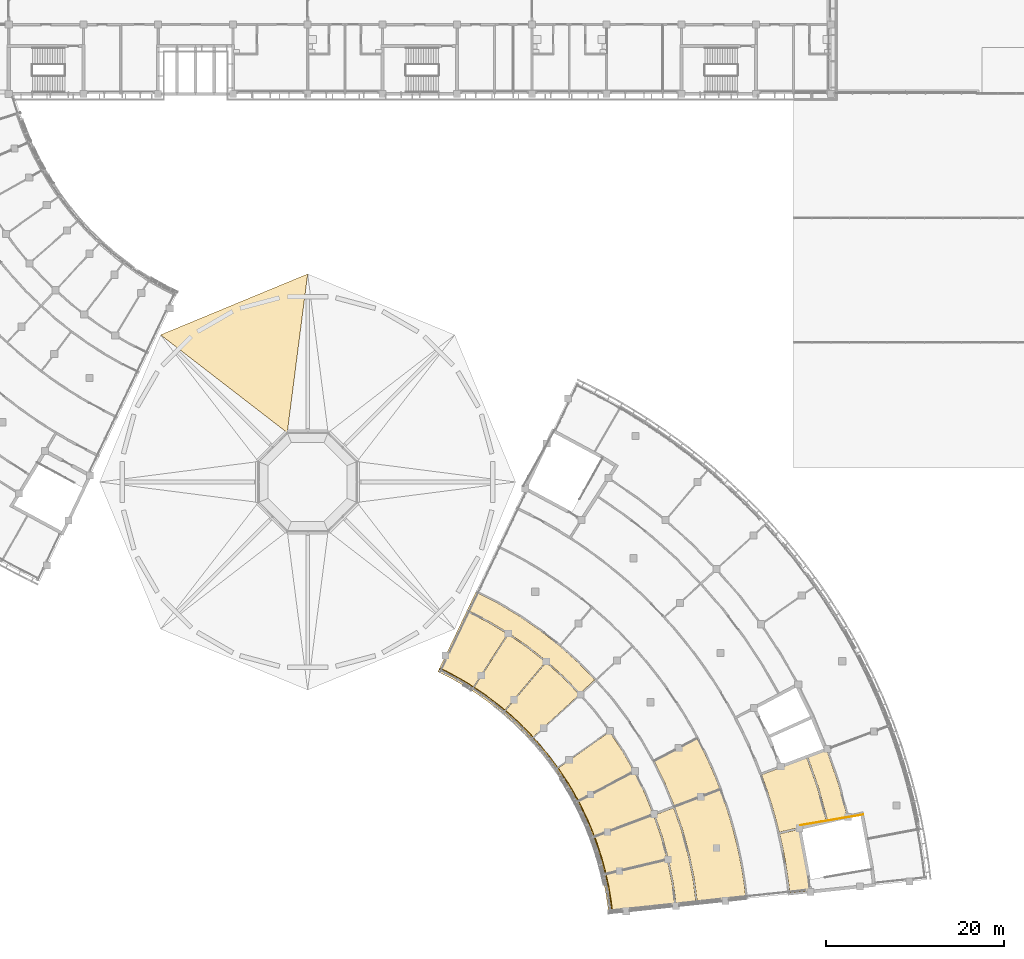
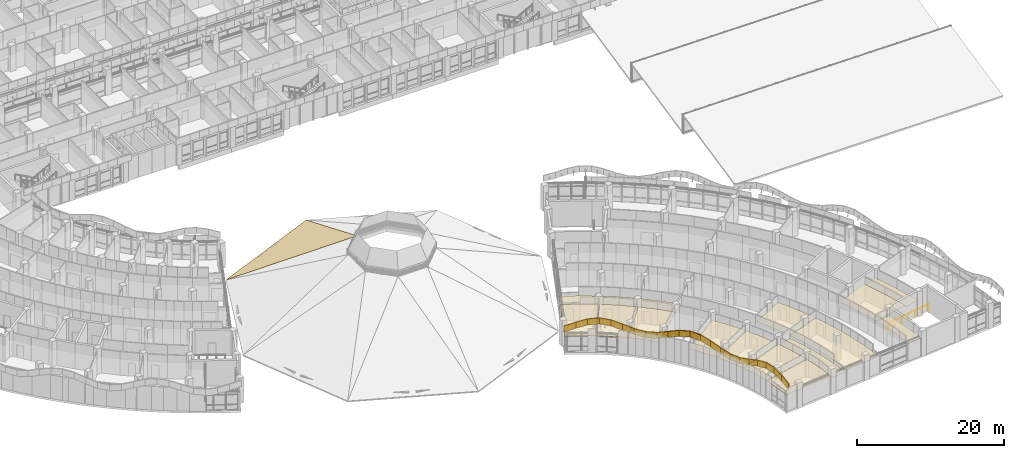
# One storey, part 116 of 137: 37 coverings, 1 railing.
"""IFC4 building model written with IfcOpenShell, lengths in metres."""

import ifcopenshell
import ifcopenshell.guid

model = None  # the IFC model being written
_history = None  # IfcOwnerHistory: only IFC2X3 demands one
_inside = {}  # id of a spatial element -> (the spatial element, [elements in it])
_under = {}  # id of a project, library or spatial element -> (it, [spatial elements below it])
_declared = {}  # id of a project -> (the project, [libraries it declares])
_typed = {}  # id of a type object -> (the type object, [elements of that type])
_made_of = {}  # id of a material, layer set ... -> (it, [elements and type objects made of it])


def new_model(schema):
    """Start an empty IFC model of exactly this schema.

    Asked for "IFC4X3", IfcOpenShell would pick the latest addendum, in which some entities
    have other attributes; the version numbers below select the first issue.
    IFC2X3 requires an IfcOwnerHistory on every rooted entity: one is made here for all.
    """
    global model, _history
    if schema == "IFC4X3":
        model = ifcopenshell.file(schema_version=(4, 3, 0, 0))
    else:
        model = ifcopenshell.file(schema=schema)
    _inside.clear()
    _under.clear()
    _declared.clear()
    _typed.clear()
    _made_of.clear()
    _history = None
    if model.schema == "IFC2X3":
        org = make("IfcOrganization", Name="unknown")
        user = make(
            "IfcPersonAndOrganization",
            ThePerson=make("IfcPerson", FamilyName="unknown"),
            TheOrganization=org,
        )
        app = make(
            "IfcApplication",
            ApplicationDeveloper=org,
            Version="unknown",
            ApplicationFullName="unknown",
            ApplicationIdentifier="unknown",
        )
        _history = make(
            "IfcOwnerHistory",
            OwningUser=user,
            OwningApplication=app,
            ChangeAction="ADDED",
            CreationDate=0,
        )
    return model


def make(cls, **values):
    """One entity of the class cls with the attributes given. An attribute that is None is left unset."""
    return model.create_entity(
        cls, **{name: value for name, value in values.items() if value is not None}
    )


def rooted(cls, **values):
    """An entity with a GlobalId (a new one), such as an element, a storey or a relation."""
    return make(cls, GlobalId=ifcopenshell.guid.new(), OwnerHistory=_history, **values)


def si_unit(unit_type, name, prefix=None):
    """IfcSIUnit, for example si_unit("LENGTHUNIT", "METRE", prefix="MILLI")."""
    return make("IfcSIUnit", UnitType=unit_type, Prefix=prefix, Name=name)


def assignment(units):
    """IfcUnitAssignment: the units of a project."""
    return None if units is None else make("IfcUnitAssignment", Units=units)


def point(xyz):
    """IfcCartesianPoint."""
    return None if xyz is None else make("IfcCartesianPoint", Coordinates=xyz)


def direction(xyz):
    """IfcDirection."""
    return None if xyz is None else make("IfcDirection", DirectionRatios=xyz)


def frame(location, z_axis=None, x_axis=None):
    """IfcAxis2Placement3D, a coordinate frame: its origin and axes. An axis left out is left unset."""
    return make(
        "IfcAxis2Placement3D",
        Location=point(location),
        Axis=direction(z_axis),
        RefDirection=direction(x_axis),
    )


def frame_2d(location, x_axis=None):
    """IfcAxis2Placement2D, a coordinate frame in the plane: its origin and x axis."""
    return make(
        "IfcAxis2Placement2D", Location=point(location), RefDirection=direction(x_axis)
    )


def origin():
    """The frame at (0, 0, 0) with its axes left unset."""
    return frame((0.0, 0.0, 0.0))


def origin_2d():
    """The frame at (0, 0) in the plane with its x axis left unset."""
    return frame_2d((0.0, 0.0))


def place(relative_to, where):
    """IfcLocalPlacement: puts the frame where relative to a parent placement (None: the world)."""
    return make(
        "IfcLocalPlacement", PlacementRelTo=relative_to, RelativePlacement=where
    )


def context(
    kind, dimensions, precision=None, world=None, true_north=None, identifier=None
):
    """IfcGeometricRepresentationContext, for example the 3D "Model" context."""
    return make(
        "IfcGeometricRepresentationContext",
        ContextIdentifier=identifier,
        ContextType=kind,
        CoordinateSpaceDimension=dimensions,
        Precision=precision,
        WorldCoordinateSystem=world,
        TrueNorth=true_north,
    )


def subcontext(parent, identifier, kind, view, scale=None):
    """IfcGeometricRepresentationSubContext, for example "Body" below "Model"."""
    return make(
        "IfcGeometricRepresentationSubContext",
        ContextIdentifier=identifier,
        ContextType=kind,
        ParentContext=parent,
        TargetScale=scale,
        TargetView=view,
    )


def project(units=None, contexts=None):
    """IfcProject with its units and contexts."""
    return rooted(
        "IfcProject",
        Name="project",
        RepresentationContexts=contexts,
        UnitsInContext=assignment(units),
    )


def spatial(cls, under=None, at=None, **own):
    """A site, building, storey or space (cls), placed at a placement, below another one or the project."""
    s = rooted(cls, ObjectPlacement=at, **own)
    if under is not None:
        _under.setdefault(under.id(), (under, []))[1].append(s)
    return s


def polyline(points):
    """IfcPolyline through the points."""
    return make("IfcPolyline", Points=[point(p) for p in points])


def profile(cls, at=None, kind="AREA", **sizes):
    """A parametric profile (cls). Its sizes go by their IFC names, for example OverallWidth=200.0."""
    return make(cls, ProfileType=kind, Position=at, **sizes)


def circle(**sizes):
    """IfcCircleProfileDef."""
    return profile("IfcCircleProfileDef", **sizes)


def outline(outer, holes=None, kind="AREA"):
    """IfcArbitraryClosedProfileDef: a profile drawn as a closed curve; with holes, ...WithVoids."""
    if holes is None:
        return make("IfcArbitraryClosedProfileDef", ProfileType=kind, OuterCurve=outer)
    return make(
        "IfcArbitraryProfileDefWithVoids",
        ProfileType=kind,
        OuterCurve=outer,
        InnerCurves=holes,
    )


def extrude(swept, where, along, depth):
    """IfcExtrudedAreaSolid: the profile swept, set in the frame where, extruded along a direction by depth."""
    return make(
        "IfcExtrudedAreaSolid",
        SweptArea=swept,
        Position=where,
        ExtrudedDirection=direction(along),
        Depth=depth,
    )


def shape(context_of_items, identifier, shape_type, items):
    """IfcShapeRepresentation: the items that make up one representation, for example the "Body"."""
    return make(
        "IfcShapeRepresentation",
        ContextOfItems=context_of_items,
        RepresentationIdentifier=identifier,
        RepresentationType=shape_type,
        Items=items,
    )


def material(Name=None, Category=None):
    """IfcMaterial."""
    return make("IfcMaterial", Name=Name, Category=Category)


def layer(
    of_material, thickness, ventilated=None, Name=None, Category=None, Priority=None
):
    """IfcMaterialLayer: one layer of a wall or slab, of a material (None: an air gap)."""
    return make(
        "IfcMaterialLayer",
        Material=of_material,
        LayerThickness=thickness,
        IsVentilated=ventilated,
        Name=Name,
        Category=Category,
        Priority=Priority,
    )


def layer_set(layers, Name=None):
    """IfcMaterialLayerSet."""
    return make("IfcMaterialLayerSet", MaterialLayers=layers, LayerSetName=Name)


def made_of(thing, what):
    """Note that an element or type object is made of a material, layer set ...; save() writes the relation."""
    if what is not None:
        _made_of.setdefault(what.id(), (what, []))[1].append(thing)
    return thing


def type_object(cls, material=None, **own):
    """A type object (cls), such as IfcWallType, which elements share."""
    return made_of(rooted(cls, **own), material)


def element(
    cls,
    number,
    at=None,
    inside=None,
    cuts=None,
    type_object=None,
    material=None,
    context=None,
    identifier="Body",
    shape_type=None,
    held_by="IfcProductDefinitionShape",
    body=None,
    shapes=None,
    **own,
):
    """One element of the class cls, such as IfcWall. Its Tag is "e" and its number.

    at: its placement. inside: the storey or other place that contains it. cuts: it is an
    opening in that element (IfcRelVoidsElement). A single representation is given by context,
    identifier, shape_type and body (its items); several are given by shapes. held_by: the class
    of the entity that holds the representations. save() writes the other relations.
    """
    e = rooted(cls, Tag="e%d" % number, ObjectPlacement=at, **own)
    if body is not None:
        shapes = [shape(context, identifier, shape_type, body)]
    if shapes is not None:
        e.Representation = make(held_by, Representations=shapes)
    if inside is not None:
        _inside.setdefault(inside.id(), (inside, []))[1].append(e)
    if cuts is not None:
        rooted(
            "IfcRelVoidsElement", RelatingBuildingElement=cuts, RelatedOpeningElement=e
        )
    if type_object is not None:
        _typed.setdefault(type_object.id(), (type_object, []))[1].append(e)
    return made_of(e, material)


def aggregate(whole, parts):
    """IfcRelAggregates: a whole, such as a stair, and the parts it consists of."""
    return rooted("IfcRelAggregates", RelatingObject=whole, RelatedObjects=parts)


def save(model, path):
    """Write the relations noted so far, then the file.

    IfcRelAggregates (storeys below a building ...), IfcRelContainedInSpatialStructure (elements
    in a storey), IfcRelDefinesByType, IfcRelAssociatesMaterial and IfcRelDeclares: one each for
    every whole, place, type object, material and project.
    """
    for whole, parts in _under.values():
        aggregate(whole, parts)
    for where, things in _inside.values():
        rooted(
            "IfcRelContainedInSpatialStructure",
            RelatedElements=things,
            RelatingStructure=where,
        )
    for kind, things in _typed.values():
        rooted("IfcRelDefinesByType", RelatedObjects=things, RelatingType=kind)
    for what, things in _made_of.values():
        rooted("IfcRelAssociatesMaterial", RelatedObjects=things, RelatingMaterial=what)
    for by, libraries in _declared.values():
        rooted("IfcRelDeclares", RelatingContext=by, RelatedDefinitions=libraries)
    model.write(path)


model = new_model("IFC4")

# Units and contexts
model_context = context("Model", 3, precision=1e-05, world=origin(), true_north=direction((0.0, 1.0)))
body_context = subcontext(model_context, "Body", "Model", "MODEL_VIEW")
ifc_project = project(units=[si_unit("LENGTHUNIT", "METRE"), si_unit("AREAUNIT", "SQUARE_METRE"), si_unit("VOLUMEUNIT", "CUBIC_METRE"), si_unit("PLANEANGLEUNIT", "RADIAN"), si_unit("MASSUNIT", "GRAM", prefix="KILO")], contexts=[model_context])

# Site, building, storey
site_placement = place(None, origin())
site = spatial("IfcSite", under=ifc_project, at=site_placement, CompositionType="ELEMENT")
building_placement = place(site_placement, origin())
building = spatial("IfcBuilding", under=site, at=building_placement, Name="Bougainvillea Quay General Hospital", CompositionType="ELEMENT")
storey_placement = place(building_placement, frame((0.0, 0.0, 16.800048828125)))
storey = spatial("IfcBuildingStorey", under=building, at=storey_placement, Name="L03", CompositionType="ELEMENT", Elevation=16.800048828125)

# Coverings
ifc_material_1 = material(Name="Powder-coated aluminium fascia, red", Category="aluminium")
ifc_layer_1 = layer(ifc_material_1, 0.14990234375)
ifc_layer_set_1 = layer_set([ifc_layer_1], Name="Powder-coated aluminium fascia, red")
covering_type_1 = type_object("IfcCoveringType", Name="Aluminium wave fascia ribbon red 150x1000", PredefinedType="CLADDING", material=ifc_layer_set_1)
covering_1_placement = place(storey_placement, frame((123.972412109375, 52.955810546875, 3.19482421875), z_axis=(-0.298276880888, 0.150835378144, 0.942485857203), x_axis=(0.841001000997, -0.425437315492, 0.334246027515)))
element("IfcCovering", 1, at=covering_1_placement, inside=storey, type_object=covering_type_1, Name="Fascia ribbon red a12 1", PredefinedType="CLADDING", context=body_context, shape_type="SweptSolid", body=[
    extrude(outline(polyline([(0.0, 0.0), (1.6814071014413594, 7.364443256607789e-17), (1.6850629841147544, 0.15003524271986624), (-4.452431964303838e-05, 0.1499096927412902), (0.0, 0.0)])), origin(), (0.334246027515, 4.5411473e-05, 0.942485857203), 1.0),
])
covering_2_placement = place(storey_placement, frame((125.386474609375, 52.240478515625, 3.758056640625), z_axis=(-0.2757750801, 0.156703939354, 0.948362789541), x_axis=(0.825558113045, -0.466739979989, 0.317187000152)))
element("IfcCovering", 2, at=covering_2_placement, inside=storey, type_object=covering_type_1, Name="Fascia ribbon red a12 2", PredefinedType="CLADDING", context=body_context, shape_type="SweptSolid", body=[
    extrude(outline(polyline([(0.0, 0.0), (1.6785696515526634, -5.285485590866834e-17), (1.6821150680669386, 0.14973008660846587), (-0.0036980350028839233, 0.15003420057196332), (0.0, 0.0)])), origin(), (0.317187000152, -0.000652953113, 0.948362789541), 1.0),
])
covering_3_placement = place(storey_placement, frame((126.772216796875, 51.45703125, 4.291259765625), z_axis=(-0.109877067164, 0.068990120056, 0.991547978388), x_axis=(0.839461182678, -0.527704766762, 0.129740517623)))
element("IfcCovering", 3, at=covering_3_placement, inside=storey, type_object=covering_type_1, Name="Fascia ribbon red a12 3", PredefinedType="CLADDING", context=body_context, shape_type="SweptSolid", body=[
    extrude(outline(polyline([(0.0, 0.0), (1.60537840102064, 1.0274170837015761e-16), (1.6088267107409484, 0.1500808674179548), (-0.0036057328510090353, 0.14972626388657231), (0.0, 0.0)])), origin(), (0.129740517623, 6.8124325e-05, 0.991547978388), 1.0),
])
covering_4_placement = place(storey_placement, frame((128.119873046875, 50.60986328125, 4.49951171875), z_axis=(0.117561505066, -0.081675535234, 0.989701166752), x_axis=(0.812651912595, -0.564894034067, -0.143148870873)))
element("IfcCovering", 4, at=covering_4_placement, inside=storey, type_object=covering_type_1, Name="Fascia ribbon red a12 4", PredefinedType="CLADDING", context=body_context, shape_type="SweptSolid", body=[
    extrude(outline(polyline([(0.0, 0.0), (1.608175237820859, 1.3888968642718214e-16), (1.6116612849897838, 0.14987532480958102), (-0.00356150850790639, 0.1500782261119451), (0.0, 0.0)])), origin(), (-0.143148870873, -3.6012927e-05, 0.989701166752), 1.0),
])
covering_5_placement = place(storey_placement, frame((129.4267578125, 49.701416015625, 4.2685546875), z_axis=(0.255976151509, -0.196117113002, 0.946580312412), x_axis=(0.751317298041, -0.575792156381, -0.322468153955)))
element("IfcCovering", 5, at=covering_5_placement, inside=storey, type_object=covering_type_1, Name="Fascia ribbon red a12 5", PredefinedType="CLADDING", context=body_context, shape_type="SweptSolid", body=[
    extrude(outline(polyline([(0.0, 0.0), (1.6816065623781777, 2.0328790734103208e-16), (1.6852845549585564, 0.14999536449724124), (-0.0037178682723944074, 0.1498739271549817), (0.0, 0.0)])), origin(), (-0.322468153955, -4.2880819e-05, 0.946580312412), 1.0),
])
covering_6_placement = place(storey_placement, frame((130.690185546875, 48.733154296875, 3.72509765625), z_axis=(0.252150267639, -0.212676264079, 0.94402809769), x_axis=(0.721876064966, -0.608345307652, -0.329865023135)))
element("IfcCovering", 6, at=covering_6_placement, inside=storey, type_object=covering_type_1, Name="Fascia ribbon red a12 6", PredefinedType="CLADDING", context=body_context, shape_type="SweptSolid", body=[
    extrude(outline(polyline([(0.0, 0.0), (1.6859480820312824, -1.4140706834642192e-16), (1.6897601040130046, 0.1499091422014092), (-0.0036924908371197473, 0.1499950101684741), (0.0, 0.0)])), origin(), (-0.329865023135, 0.000131472484, 0.94402809769), 1.0),
])
covering_7_placement = place(storey_placement, frame((131.9072265625, 47.70751953125, 3.16796875), z_axis=(0.120359209259, -0.111542663409, 0.986444065817), x_axis=(0.723931175351, -0.670071308394, -0.164097821503)))
element("IfcCovering", 7, at=covering_7_placement, inside=storey, type_object=covering_type_1, Name="Fascia ribbon red a12 7", PredefinedType="CLADDING", context=body_context, shape_type="SweptSolid", body=[
    extrude(outline(polyline([(0.0, 0.0), (1.6137213464996227, -7.503356659957494e-17), (1.6173027165414038, 0.14999331002491814), (-0.003398683871272978, 0.14991488478241236), (0.0, 0.0)])), origin(), (-0.164097821503, 9.9958598e-05, 0.986444065817), 1.0),
])
covering_8_placement = place(storey_placement, frame((133.075439453125, 46.626220703125, 2.903076171875), z_axis=(-0.074863811359, 0.077146218195, 0.994205145212), x_axis=(0.697575696864, -0.708401460301, 0.10749659617)))
element("IfcCovering", 8, at=covering_8_placement, inside=storey, type_object=covering_type_1, Name="Fascia ribbon red a12 8", PredefinedType="CLADDING", context=body_context, shape_type="SweptSolid", body=[
    extrude(outline(polyline([(0.0, 0.0), (1.601178490725349, 1.4365678785432934e-18), (1.6045199991012473, 0.14987603288895404), (-0.0034320407537271054, 0.14999682556471983), (0.0, 0.0)])), origin(), (0.10749659617, -0.000781693628, 0.994205145212), 1.0),
])
covering_9_placement = place(storey_placement, frame((134.1923828125, 45.491943359375, 3.075927734375), z_axis=(-0.205523506212, 0.228832879477, 0.951522780423), x_axis=(0.635502313886, -0.708189541386, 0.307578254297)))
element("IfcCovering", 9, at=covering_9_placement, inside=storey, type_object=covering_type_1, Name="Fascia ribbon red a12 9", PredefinedType="CLADDING", context=body_context, shape_type="SweptSolid", body=[
    extrude(outline(polyline([(0.0, 0.0), (1.6726513943531438, 6.727474480272555e-17), (1.676341419384718, 0.14973474607449513), (-0.0038125375703072627, 0.1498695467492696), (0.0, 0.0)])), origin(), (0.307578254297, 0.000125773207, 0.951522780423), 1.0),
])
covering_10_placement = place(storey_placement, frame((135.25537109375, 44.307373046875, 3.591552734375), z_axis=(-0.214771111172, 0.262866572362, 0.940624545151), x_axis=(0.594963121323, -0.728555711738, 0.339448757783)))
element("IfcCovering", 10, at=covering_10_placement, inside=storey, type_object=covering_type_1, Name="Fascia ribbon red a12 10", PredefinedType="CLADDING", context=body_context, shape_type="SweptSolid", body=[
    extrude(outline(polyline([(0.0, 0.0), (1.692274703045229, 5.676475999319419e-17), (1.695902705631545, 0.15008457542471), (-0.003695839413061986, 0.14973461729529391), (0.0, 0.0)])), origin(), (0.339448757783, 7.6803377e-05, 0.940624545151), 1.0),
])
covering_11_placement = place(storey_placement, frame((136.26220703125, 43.074462890625, 4.1669921875), z_axis=(-0.116942199929, 0.157465145062, 0.980575978681), x_axis=(0.584295084869, -0.787482387605, 0.196139600818)))
element("IfcCovering", 11, at=covering_11_placement, inside=storey, type_object=covering_type_1, Name="Fascia ribbon red a12 11", PredefinedType="CLADDING", context=body_context, shape_type="SweptSolid", body=[
    extrude(outline(polyline([(0.0, 0.0), (1.6232935121301801, 3.1978543077459953e-16), (1.6267965159892903, 0.1500684795317248), (-0.0036312610243391117, 0.15008131762466537), (0.0, 0.0)])), origin(), (0.196139600818, 8.3812514e-05, 0.980575978681), 1.0),
])
covering_12_placement = place(storey_placement, frame((137.210693359375, 41.796142578125, 4.485595703125), z_axis=(0.039277595453, -0.05840108945, 0.997520216961), x_axis=(0.556639309809, -0.827767637711, -0.070380513882)))
element("IfcCovering", 12, at=covering_12_placement, inside=storey, type_object=covering_type_1, Name="Fascia ribbon red a12 12", PredefinedType="CLADDING", context=body_context, shape_type="SweptSolid", body=[
    extrude(outline(polyline([(0.0, 0.0), (1.595618106807975, 3.518236049715462e-17), (1.5991382374019316, 0.15003789340667384), (-0.0035388081974891696, 0.15006605439838802), (0.0, 0.0)])), origin(), (-0.070380513882, -4.38028e-06, 0.997520216961), 1.0),
])
covering_13_placement = place(storey_placement, frame((138.098876953125, 40.475341796875, 4.372802734375), z_axis=(0.150318321152, -0.247389086535, 0.957184957148), x_axis=(0.496800207187, -0.818164166333, -0.289477030294)))
element("IfcCovering", 13, at=covering_13_placement, inside=storey, type_object=covering_type_1, Name="Fascia ribbon red a12 13", PredefinedType="CLADDING", context=body_context, shape_type="SweptSolid", body=[
    extrude(outline(polyline([(0.0, 0.0), (1.6630003671468567, -5.389840049968564e-17), (1.6664865046664148, 0.14992005025007843), (-0.003571225550500263, 0.15003965813231285), (0.0, 0.0)])), origin(), (-0.289477030294, -8.2114463e-05, 0.957184957148), 1.0),
])
covering_14_placement = place(storey_placement, frame((138.925048828125, 39.11474609375, 3.89013671875), z_axis=(0.164983317768, -0.303549134002, 0.938423373593), x_axis=(0.449234982517, -0.823909307264, -0.345487168918)))
element("IfcCovering", 14, at=covering_14_placement, inside=storey, type_object=covering_type_1, Name="Fascia ribbon red a12 14", PredefinedType="CLADDING", context=body_context, shape_type="SweptSolid", body=[
    extrude(outline(polyline([(0.0, 0.0), (1.6961153468303127, -2.688821387764051e-17), (1.6996962334637578, 0.14999254227825382), (-0.003911149815513154, 0.14991353888743983), (0.0, 0.0)])), origin(), (-0.345487168918, 0.000433598854, 0.938423373593), 1.0),
])
covering_15_placement = place(storey_placement, frame((139.68701171875, 37.71728515625, 3.30322265625), z_axis=(0.099489639667, -0.20253130666, 0.974208848975), x_axis=(0.426150465443, -0.876059007543, -0.225646617757)))
element("IfcCovering", 15, at=covering_15_placement, inside=storey, type_object=covering_type_1, Name="Fascia ribbon red a12 15", PredefinedType="CLADDING", context=body_context, shape_type="SweptSolid", body=[
    extrude(outline(polyline([(0.0, 0.0), (1.6338968460649823, -5.2366964931049864e-17), (1.637522234425058, 0.15006458019167615), (-0.003673687951247852, 0.14998712445442938), (0.0, 0.0)])), origin(), (-0.225646617757, -0.000849984387, 0.974208848975), 1.0),
])
covering_16_placement = place(storey_placement, frame((140.38330078125, 36.285888671875, 2.93408203125), z_axis=(-0.012679972387, 0.029516884176, 0.99948385272), x_axis=(0.395103329888, -0.918074795975, 0.032125188059)))
element("IfcCovering", 16, at=covering_16_placement, inside=storey, type_object=covering_type_1, Name="Fascia ribbon red a12 16", PredefinedType="CLADDING", context=body_context, shape_type="SweptSolid", body=[
    extrude(outline(polyline([(0.0, 0.0), (1.5923729123312913, -1.5124620306172787e-17), (1.596027641276071, 0.14992633575703138), (-0.003458102139223991, 0.1500653106705637), (0.0, 0.0)])), origin(), (0.032125188059, -2.1056163e-05, 0.99948385272), 1.0),
])
covering_17_placement = place(storey_placement, frame((141.012451171875, 34.823974609375, 2.98583984375), z_axis=(-0.094264441191, 0.250935433725, 0.963403146781), x_axis=(0.339406678123, -0.901636712518, 0.268056608732)))
element("IfcCovering", 17, at=covering_17_placement, inside=storey, type_object=covering_type_1, Name="Fascia ribbon red a12 17", PredefinedType="CLADDING", context=body_context, shape_type="SweptSolid", body=[
    extrude(outline(polyline([(0.0, 0.0), (1.652260509686127, -1.0264684068006513e-16), (1.6558971911081821, 0.14998325797027298), (-0.0034387761405812126, 0.14993466542797293), (0.0, 0.0)])), origin(), (0.268056608732, -0.000176881121, 0.963403146781), 1.0),
])
covering_18_placement = place(storey_placement, frame((141.5732421875, 33.334228515625, 3.429931640625), z_axis=(-0.106677992328, 0.331514439621, 0.937399585169), x_axis=(0.289132511775, -0.891695520846, 0.348254919186)))
element("IfcCovering", 18, at=covering_18_placement, inside=storey, type_object=covering_type_1, Name="Fascia ribbon red a12 18", PredefinedType="CLADDING", context=body_context, shape_type="SweptSolid", body=[
    extrude(outline(polyline([(0.0, 0.0), (1.6980504188811136, 8.321251673826247e-17), (1.7017374092040498, 0.15004102864271432), (-0.003761441263946614, 0.14998414998532458), (0.0, 0.0)])), origin(), (0.348254919186, -0.000727314686, 0.937399585169), 1.0),
])
covering_19_placement = place(storey_placement, frame((142.064208984375, 31.820068359375, 4.022216796875), z_axis=(-0.06665314411, 0.24323270435, 0.967675157227), x_axis=(0.255415795969, -0.933358445854, 0.252199886447)))
element("IfcCovering", 19, at=covering_19_placement, inside=storey, type_object=covering_type_1, Name="Fascia ribbon red a12 19", PredefinedType="CLADDING", context=body_context, shape_type="SweptSolid", body=[
    extrude(outline(polyline([(0.0, 0.0), (1.6450687641098143, -9.554531645028508e-19), (1.648528095511278, 0.15018474975107163), (-0.0035614702890817127, 0.1500408072798607), (0.0, 0.0)])), origin(), (0.252199886447, 8.580021e-05, 0.967675157227), 1.0),
])
covering_20_placement = place(storey_placement, frame((142.484375, 30.28466796875, 4.4375), z_axis=(-0.002256526555, 0.006317029031, 0.999977501363), x_axis=(0.219036417991, -0.975693968405, 0.006657898411)))
element("IfcCovering", 20, at=covering_20_placement, inside=storey, type_object=covering_type_1, Name="Fascia ribbon red a12 20", PredefinedType="CLADDING", context=body_context, shape_type="SweptSolid", body=[
    extrude(outline(polyline([(0.0, 0.0), (1.5916649481320149, -5.578558990616822e-18), (1.5950359469972453, 0.14987434550330414), (-0.0035677880253247515, 0.15018047684845137), (0.0, 0.0)])), origin(), (0.006657898411, 0.000818019938, 0.999977501363), 1.0),
])
covering_21_placement = place(storey_placement, frame((142.8330078125, 28.731689453125, 4.44775390625), z_axis=(0.043221070548, -0.239646619863, 0.969897642357), x_axis=(0.168248561376, -0.955193586714, -0.243511054154)))
element("IfcCovering", 21, at=covering_21_placement, inside=storey, type_object=covering_type_1, Name="Fascia ribbon red a12 21", PredefinedType="CLADDING", context=body_context, shape_type="SweptSolid", body=[
    extrude(outline(polyline([(0.0, 0.0), (1.6411657077288768, 3.832654679736258e-17), (1.644649086002111, 0.14988532885592717), (-0.003667803517281337, 0.14986899835895337), (0.0, 0.0)])), origin(), (-0.243511054154, -0.000964290368, 0.969897642357), 1.0),
])
covering_22_placement = place(storey_placement, frame((143.109130859375, 27.1640625, 4.046875), z_axis=(0.043879434048, -0.344929855771, 0.937602255685), x_axis=(0.119601238748, -0.92994286645, -0.347709374088)))
element("IfcCovering", 22, at=covering_22_placement, inside=storey, type_object=covering_type_1, Name="Fascia ribbon red a12 22", PredefinedType="CLADDING", context=body_context, shape_type="SweptSolid", body=[
    extrude(outline(polyline([(0.0, 0.0), (1.6901705232710873, -2.7592945289756088e-17), (1.6902441587237895, 0.14989615579540913), (-0.0038996559825456223, 0.14987904727681686), (0.0, 0.0)])), origin(), (-0.347709374088, 0.000448671354, 0.937602255685), 1.0),
])

# Railing
ifc_material_2 = material(Name="Stainless steel 304 balustrade", Category="steel")
railing_type = type_object("IfcRailingType", Name="Stair guard 1100", PredefinedType="GUARDRAIL", material=ifc_material_2)
railing_placement = place(storey_placement, frame((171.635009765625, 36.62939453125, 0.0)))
element("IfcRailing", 23, at=railing_placement, inside=storey, type_object=railing_type, Name="L03 ST-E2 top well guard 2", PredefinedType="GUARDRAIL", context=body_context, shape_type="SweptSolid", body=[
    extrude(circle(Radius=0.02392578125, at=origin_2d()), frame((0.0, 0.0, 1.076171875), z_axis=(-0.98583149158, -0.167738696222, 0.0), x_axis=(0.167738696222, -0.98583149158, 0.0)), (0.0, 0.0, 1.0), 7.157958984375),
    extrude(circle(Radius=0.02099609375, at=origin_2d()), origin(), (0.0, 0.0, 1.0), 1.052001953125),
    extrude(circle(Radius=0.02099609375, at=origin_2d()), frame((-1.176025390625, -0.2001953125, 0.0)), (0.0, 0.0, 1.0), 1.052001953125),
    extrude(circle(Radius=0.02099609375, at=origin_2d()), frame((-2.352294921875, -0.400146484375, 0.0)), (0.0, 0.0, 1.0), 1.052001953125),
    extrude(circle(Radius=0.02099609375, at=origin_2d()), frame((-3.5283203125, -0.600341796875, 0.0)), (0.0, 0.0, 1.0), 1.052001953125),
    extrude(circle(Radius=0.02099609375, at=origin_2d()), frame((-4.704345703125, -0.800537109375, 0.0)), (0.0, 0.0, 1.0), 1.052001953125),
    extrude(circle(Radius=0.02099609375, at=origin_2d()), frame((-5.880615234375, -1.00048828125, 0.0)), (0.0, 0.0, 1.0), 1.052001953125),
    extrude(circle(Radius=0.02099609375, at=origin_2d()), frame((-7.056640625, -1.20068359375, 0.0)), (0.0, 0.0, 1.0), 1.052001953125),
])

# Coverings
ifc_material_3 = material(Name="Standing seam zinc-titanium roofing, grey")
ifc_layer_2 = layer(ifc_material_3, 0.0400390625)
ifc_layer_set_2 = layer_set([ifc_layer_2], Name="Standing seam zinc-titanium roofing, grey")
covering_type_2 = type_object("IfcCoveringType", Name="Standing seam metal roofing RP1 40", PredefinedType="ROOFING", material=ifc_layer_set_2)
covering_23_placement = place(storey_placement, frame((106.904052734375, 79.54296875, 9.0), z_axis=(-0.191234000574, 0.461671016752, 0.866192489759), x_axis=(0.114164949243, 0.886951424039, -0.447530485844)))
element("IfcCovering", 24, at=covering_23_placement, inside=storey, type_object=covering_type_2, Name="Roof covering RP105", PredefinedType="ROOFING", context=body_context, shape_type="SweptSolid", body=[
    extrude(outline(polyline([(0.0, 0.0), (20.110361829373563, 0.0), (12.149233892160026, 16.0256239979735), (0.0, 0.0)])), origin(), (0.447530485844, 0.222321917328, -0.866192489759), 0.0400390625),
])
ifc_material_4 = material(Name="Mineral fibre ceiling tile")
ifc_layer_3 = layer(ifc_material_4, 0.030029296875)
ifc_layer_set_3 = layer_set([ifc_layer_3], Name="Mineral fibre ceiling tile")
covering_type_3 = type_object("IfcCoveringType", Name="Suspended ceiling mineral fibre tile", PredefinedType="CEILING", material=ifc_layer_set_3)
covering_24_placement = place(storey_placement, frame((0.0, 0.0, 2.699951171875)))
element("IfcCovering", 25, at=covering_24_placement, inside=storey, type_object=covering_type_3, Name="Ceiling Smoke-proof Vestibule ST-E2", PredefinedType="CEILING", context=body_context, shape_type="SweptSolid", body=[
    extrude(outline(polyline([(162.626220703125, 32.757080078125), (162.909423828125, 31.241455078125), (162.91259765625, 31.241943359375), (162.927490234375, 31.144775390625), (162.945556640625, 31.048095703125), (162.942626953125, 31.047607421875), (163.177001953125, 29.52392578125), (163.18017578125, 29.5244140625), (163.192138671875, 29.426513671875), (163.20703125, 29.329345703125), (163.203857421875, 29.328857421875), (163.389404296875, 27.7998046875), (165.576416015625, 28.02978515625), (165.370849609375, 29.726318359375), (165.096435546875, 31.51416015625), (164.763916015625, 33.2919921875), (164.397216796875, 34.961181640625), (162.255859375, 34.454345703125), (162.5869140625, 32.9501953125), (162.58984375, 32.95068359375), (162.60791015625, 32.85400390625), (162.629150390625, 32.7578125), (162.626220703125, 32.757080078125)])), origin(), (0.0, 0.0, 1.0), 0.030029296875),
])
covering_25_placement = place(storey_placement, frame((0.0, 0.0, 2.39990234375)))
element("IfcCovering", 26, at=covering_25_placement, inside=storey, type_object=covering_type_3, Name="Ceiling Clinic Corridor 03E1", PredefinedType="CEILING", context=body_context, shape_type="SweptSolid", body=[
    extrude(outline(polyline([(165.322021484375, 43.1259765625), (165.392822265625, 43.15087890625), (166.634765625, 39.604736328125), (166.639892578125, 39.60595703125), (166.65869140625, 39.5361328125), (166.6826171875, 39.468017578125), (166.677734375, 39.46630859375), (167.64697265625, 35.884521484375), (169.8359375, 36.403076171875), (168.810302734375, 40.19287109375), (167.52978515625, 43.850341796875), (167.447021484375, 43.8193359375), (167.412109375, 43.91259765625), (165.322021484375, 43.1259765625)])), origin(), (0.0, 0.0, 1.0), 0.030029296875),
])
covering_26_placement = place(storey_placement, frame((0.0, 0.0, 2.699951171875)))
element("IfcCovering", 27, at=covering_26_placement, inside=storey, type_object=covering_type_3, Name="Ceiling Palliative Care Outpatient Waiting Hall 03E101", PredefinedType="CEILING", context=body_context, shape_type="SweptSolid", body=[
    extrude(outline(polyline([(162.358154296875, 42.010498046875), (162.393310546875, 41.91748046875), (160.215576171875, 41.09716796875), (160.862548828125, 39.2724609375), (160.864990234375, 39.273193359375), (160.88720703125, 39.202880859375), (160.911865234375, 39.13330078125), (160.909423828125, 39.132568359375), (161.37255859375, 37.6669921875), (161.374755859375, 37.66748046875), (161.394775390625, 37.596435546875), (161.417236328125, 37.526123046875), (161.4150390625, 37.525390625), (161.83251953125, 36.04541015625), (161.83447265625, 36.0458984375), (161.8525390625, 35.974365234375), (161.87255859375, 35.903076171875), (161.870361328125, 35.902587890625), (162.185791015625, 34.643310546875), (164.354248046875, 35.15673828125), (164.353759765625, 35.158203125), (164.54736328125, 35.202392578125), (164.547607421875, 35.20068359375), (164.54931640625, 35.201171875), (164.5595703125, 35.15380859375), (167.5009765625, 35.85009765625), (166.515380859375, 39.49169921875), (165.251708984375, 43.099609375), (162.358154296875, 42.010498046875)])), origin(), (0.0, 0.0, 1.0), 0.030029296875),
])
covering_27_placement = place(storey_placement, frame((0.0, 0.0, 2.39990234375)))
element("IfcCovering", 28, at=covering_27_placement, inside=storey, type_object=covering_type_3, Name="Ceiling Clinic Corridor 03E1", PredefinedType="CEILING", context=body_context, shape_type="SweptSolid", body=[
    extrude(outline(polyline([(127.09912109375, 59.527099609375), (127.1328125, 59.593994140625), (129.438720703125, 58.427490234375), (129.44140625, 58.431884765625), (129.503173828125, 58.394775390625), (129.56787109375, 58.362060546875), (129.5654296875, 58.357421875), (131.72021484375, 57.0634765625), (131.722900390625, 57.0673828125), (131.78271484375, 57.026123046875), (131.844970703125, 56.98876953125), (131.842529296875, 56.984619140625), (133.91064453125, 55.5556640625), (133.91357421875, 55.559326171875), (133.970703125, 55.514404296875), (134.0302734375, 55.47314453125), (134.02783203125, 55.46923828125), (136.000244140625, 53.912353515625), (136.00341796875, 53.916015625), (136.057373046875, 53.867431640625), (136.1142578125, 53.822509765625), (136.111328125, 53.81884765625), (137.981201171875, 52.137451171875), (137.985107421875, 52.14111328125), (138.03515625, 52.0888671875), (138.0888671875, 52.04052734375), (138.08544921875, 52.03662109375), (139.807861328125, 50.245849609375), (141.46435546875, 51.767333984375), (139.5908203125, 53.714111328125), (137.507568359375, 55.587646484375), (135.307373046875, 57.32373046875), (133.00244140625, 58.9169921875), (130.599609375, 60.359375), (128.099609375, 61.624267578125), (127.09912109375, 59.527099609375)])), origin(), (0.0, 0.0, 1.0), 0.030029296875),
])
covering_28_placement = place(storey_placement, frame((0.0, 0.0, 2.699951171875)))
element("IfcCovering", 29, at=covering_28_placement, inside=storey, type_object=covering_type_3, Name="Ceiling Seminar Room 03E111", PredefinedType="CEILING", context=body_context, shape_type="SweptSolid", body=[
    extrude(outline(polyline([(126.702880859375, 51.14892578125), (126.7294921875, 51.19140625), (127.608642578125, 50.6435546875), (131.658447265625, 56.92578125), (129.4306640625, 58.26318359375), (127.066650390625, 59.459228515625), (123.8369140625, 52.68798828125), (124.7939453125, 52.212890625), (125.70703125, 51.72412109375), (126.702880859375, 51.14892578125)])), origin(), (0.0, 0.0, 1.0), 0.030029296875),
])
covering_29_placement = place(storey_placement, frame((0.0, 0.0, 2.699951171875)))
element("IfcCovering", 30, at=covering_29_placement, inside=storey, type_object=covering_type_3, Name="Ceiling Skills Laboratory 03E112", PredefinedType="CEILING", context=body_context, shape_type="SweptSolid", body=[
    extrude(outline(polyline([(130.090087890625, 48.825927734375), (130.12158203125, 48.86474609375), (131.1044921875, 48.067626953125), (135.92138671875, 53.78369140625), (133.88134765625, 55.3935546875), (131.742431640625, 56.87158203125), (127.665771484375, 50.54736328125), (128.39111328125, 50.06591796875), (129.25, 49.458984375), (130.090087890625, 48.825927734375)])), origin(), (0.0, 0.0, 1.0), 0.030029296875),
])
covering_30_placement = place(storey_placement, frame((0.0, 0.0, 2.699951171875)))
element("IfcCovering", 31, at=covering_30_placement, inside=storey, type_object=covering_type_3, Name="Ceiling Seminar Room 03E113", PredefinedType="CEILING", context=body_context, shape_type="SweptSolid", body=[
    extrude(outline(polyline([(139.732177734375, 50.1083984375), (137.930908203125, 51.98095703125), (135.997802734375, 53.71923828125), (131.180908203125, 48.00341796875), (131.92529296875, 47.35546875), (131.92626953125, 47.356689453125), (131.99951171875, 47.290771484375), (131.99853515625, 47.289794921875), (132.722412109375, 46.61767578125), (132.7236328125, 46.61865234375), (132.794677734375, 46.550537109375), (132.793701171875, 46.549560546875), (133.49560546875, 45.854736328125), (133.496826171875, 45.855712890625), (133.565673828125, 45.785400390625), (133.564697265625, 45.7841796875), (134.244384765625, 45.068115234375), (139.732177734375, 50.1083984375)])), origin(), (0.0, 0.0, 1.0), 0.030029296875),
])
covering_31_placement = place(storey_placement, frame((0.0, 0.0, 2.699951171875)))
element("IfcCovering", 32, at=covering_31_placement, inside=storey, type_object=covering_type_3, Name="Ceiling Library Consulting Room 03E102", PredefinedType="CEILING", context=body_context, shape_type="SweptSolid", body=[
    extrude(outline(polyline([(148.17333984375, 42.588134765625), (148.16943359375, 42.5859375), (149.34375, 40.190673828125), (149.3486328125, 40.192626953125), (149.37548828125, 40.12548828125), (149.407470703125, 40.060791015625), (149.402587890625, 40.058349609375), (150.388916015625, 37.611083984375), (150.393798828125, 37.611083984375), (150.40966796875, 37.565673828125), (155.527587890625, 39.4921875), (155.047607421875, 40.7197265625), (154.4365234375, 42.1513671875), (153.780517578125, 43.563232421875), (152.970458984375, 45.1572265625), (148.162109375, 42.607666015625), (148.17333984375, 42.588134765625)])), origin(), (0.0, 0.0, 1.0), 0.030029296875),
])
covering_32_placement = place(storey_placement, frame((0.0, 0.0, 2.699951171875)))
element("IfcCovering", 33, at=covering_32_placement, inside=storey, type_object=covering_type_3, Name="Ceiling Skills Laboratory 03E112", PredefinedType="CEILING", context=body_context, shape_type="SweptSolid", body=[
    extrude(outline(polyline([(137.59228515625, 40.797119140625), (137.646484375, 40.71484375), (137.645263671875, 40.714111328125), (138.176025390625, 39.880615234375), (138.177490234375, 39.881591796875), (138.22900390625, 39.797607421875), (138.227783203125, 39.796875), (138.731201171875, 38.9482421875), (138.732666015625, 38.948974609375), (138.781494140625, 38.863525390625), (138.7802734375, 38.86279296875), (139.257080078125, 37.998291015625), (145.85986328125, 41.500244140625), (144.569091796875, 43.755615234375), (143.13720703125, 45.925048828125), (137.033935546875, 41.611572265625), (137.591064453125, 40.796142578125), (137.59228515625, 40.797119140625)])), origin(), (0.0, 0.0, 1.0), 0.030029296875),
])
covering_33_placement = place(storey_placement, frame((0.0, 0.0, 2.699951171875)))
element("IfcCovering", 34, at=covering_33_placement, inside=storey, type_object=covering_type_3, Name="Ceiling Seminar Room 03E113", PredefinedType="CEILING", context=body_context, shape_type="SweptSolid", body=[
    extrude(outline(polyline([(139.79736328125, 36.942138671875), (139.7958984375, 36.94140625), (140.216552734375, 36.048095703125), (140.218017578125, 36.048828125), (140.258544921875, 35.958984375), (140.257080078125, 35.95849609375), (140.648681640625, 35.05126953125), (140.650146484375, 35.0517578125), (140.687744140625, 34.9609375), (140.686279296875, 34.960205078125), (141.04833984375, 34.042236328125), (148.02197265625, 36.6669921875), (147.050537109375, 39.077392578125), (145.90673828125, 41.411865234375), (139.303955078125, 37.909912109375), (139.75244140625, 37.02978515625), (139.75390625, 37.030517578125), (139.79736328125, 36.942138671875)])), origin(), (0.0, 0.0, 1.0), 0.030029296875),
])
covering_34_placement = place(storey_placement, frame((0.0, 0.0, 2.39990234375)))
element("IfcCovering", 35, at=covering_34_placement, inside=storey, type_object=covering_type_3, Name="Ceiling Clinic Corridor 03E1", PredefinedType="CEILING", context=body_context, shape_type="SweptSolid", body=[
    extrude(outline(polyline([(149.03564453125, 34.233642578125), (149.040771484375, 34.235107421875), (149.0595703125, 34.165283203125), (149.08349609375, 34.096923828125), (149.07861328125, 34.09521484375), (149.736083984375, 31.66845703125), (149.740478515625, 31.66943359375), (149.755126953125, 31.598388671875), (149.77392578125, 31.5283203125), (149.76953125, 31.527099609375), (150.26953125, 29.064208984375), (150.27490234375, 29.06494140625), (150.283935546875, 28.9931640625), (150.29833984375, 28.92236328125), (150.293212890625, 28.92138671875), (150.6171875, 26.406494140625), (152.85302734375, 26.641845703125), (152.501953125, 29.370849609375), (151.944091796875, 32.11669921875), (151.21240234375, 34.82177734375), (150.31884765625, 37.37109375), (148.21435546875, 36.5791015625), (149.03564453125, 34.233642578125)])), origin(), (0.0, 0.0, 1.0), 0.030029296875),
])
covering_35_placement = place(storey_placement, frame((0.0, 0.0, 2.699951171875)))
element("IfcCovering", 36, at=covering_35_placement, inside=storey, type_object=covering_type_3, Name="Ceiling Administration Waiting Hall 03E101", PredefinedType="CEILING", context=body_context, shape_type="SweptSolid", body=[
    extrude(outline(polyline([(150.459228515625, 37.424072265625), (151.331787109375, 34.9345703125), (151.3369140625, 34.93603515625), (151.355712890625, 34.8662109375), (151.379638671875, 34.798095703125), (151.37451171875, 34.79638671875), (152.071044921875, 32.221435546875), (152.07568359375, 32.222412109375), (152.090087890625, 32.1513671875), (152.10888671875, 32.081298828125), (152.1044921875, 32.080078125), (152.635498046875, 29.46630859375), (152.640869140625, 29.467041015625), (152.650146484375, 29.395263671875), (152.66455078125, 29.324462890625), (152.6591796875, 29.323486328125), (153.002197265625, 26.657470703125), (158.447265625, 27.229736328125), (158.265625, 28.723876953125), (158.030029296875, 30.262451171875), (157.74658203125, 31.792236328125), (157.4140625, 33.312744140625), (157.03466796875, 34.822509765625), (156.607177734375, 36.3193359375), (156.134033203125, 37.802001953125), (155.562744140625, 39.3984375), (150.44482421875, 37.471923828125), (150.462890625, 37.42724609375), (150.459228515625, 37.424072265625)])), origin(), (0.0, 0.0, 1.0), 0.030029296875),
])
covering_36_placement = place(storey_placement, frame((0.0, 0.0, 2.699951171875)))
element("IfcCovering", 37, at=covering_36_placement, inside=storey, type_object=covering_type_3, Name="Ceiling Clinic Office 03E111", PredefinedType="CEILING", context=body_context, shape_type="SweptSolid", body=[
    extrude(outline(polyline([(142.080810546875, 30.84765625), (142.079345703125, 30.847412109375), (142.322265625, 29.890869140625), (149.595947265625, 31.612060546875), (148.916259765625, 34.120849609375), (148.057373046875, 36.573486328125), (141.083740234375, 33.948486328125), (141.416748046875, 33.01953125), (141.418212890625, 33.02001953125), (141.449951171875, 32.9267578125), (141.448486328125, 32.92626953125), (141.751708984375, 31.986328125), (141.753173828125, 31.98681640625), (141.781982421875, 31.892822265625), (141.780517578125, 31.892333984375), (142.0537109375, 30.9423828125), (142.05517578125, 30.94287109375), (142.080810546875, 30.84765625)])), origin(), (0.0, 0.0, 1.0), 0.030029296875),
])
covering_37_placement = place(storey_placement, frame((0.0, 0.0, 2.699951171875)))
element("IfcCovering", 38, at=covering_37_placement, inside=storey, type_object=covering_type_3, Name="Ceiling Records Room 03E112", PredefinedType="CEILING", context=body_context, shape_type="SweptSolid", body=[
    extrude(outline(polyline([(143.012939453125, 25.555908203125), (143.0078125, 25.605712890625), (150.468017578125, 26.390869140625), (150.135986328125, 28.96875), (149.618896484375, 31.5146484375), (142.345458984375, 29.793701171875), (142.56787109375, 28.78271484375), (142.51904296875, 28.77197265625), (142.718017578125, 27.705078125), (142.887939453125, 26.597900390625), (143.012939453125, 25.555908203125)])), origin(), (0.0, 0.0, 1.0), 0.030029296875),
])

save(model, "model.ifc")
